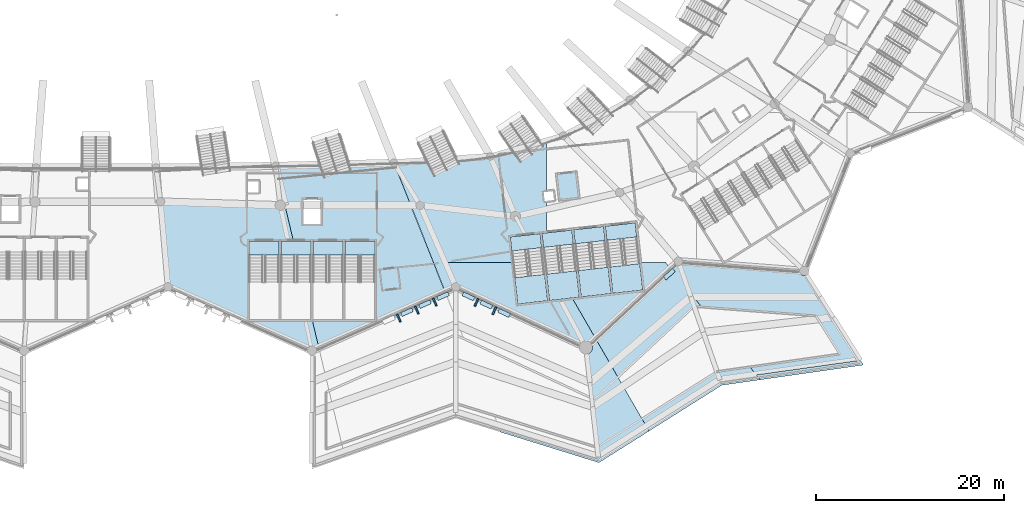
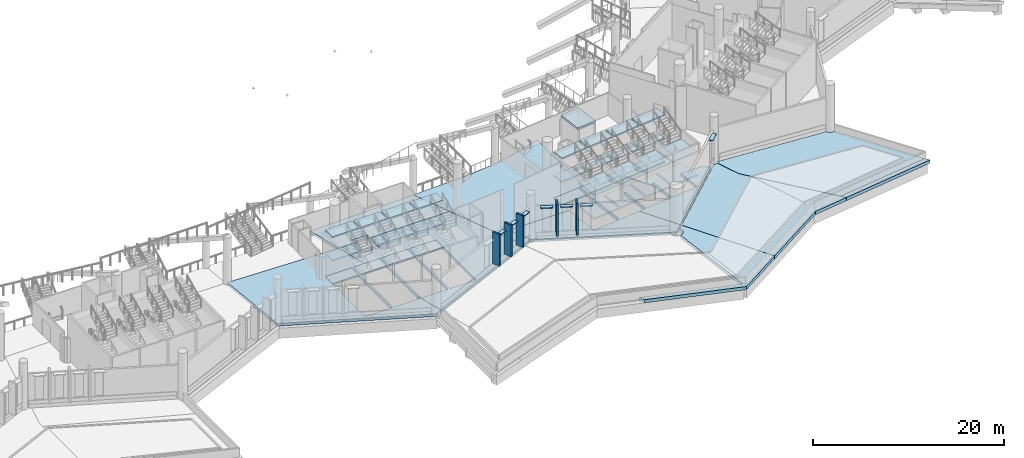
# One storey, part 28 of 173: 43 slabs, 12 plates, 8 elements without a shape of their own.
"""IFC4 building model written with IfcOpenShell, lengths in metres."""

from ifc_helpers import new_model, si_unit, direction, frame, origin, origin_2d, place, context, subcontext, project, spatial, polyline, rectangle, outline, extrude, material, layer, layer_set, type_object, element, aggregate, save


model = new_model("IFC4")

# Units and contexts
model_context = context("Model", 3, precision=1e-05, world=origin(), true_north=direction((0.0, 1.0)))
body_context = subcontext(model_context, "Body", "Model", "MODEL_VIEW")
ifc_project = project(units=[si_unit("LENGTHUNIT", "METRE"), si_unit("AREAUNIT", "SQUARE_METRE"), si_unit("VOLUMEUNIT", "CUBIC_METRE"), si_unit("PLANEANGLEUNIT", "RADIAN"), si_unit("MASSUNIT", "GRAM", prefix="KILO")], contexts=[model_context])

# Site, building, storey
site_placement = place(None, origin())
site = spatial("IfcSite", under=ifc_project, at=site_placement, CompositionType="ELEMENT")
building_placement = place(site_placement, origin())
building = spatial("IfcBuilding", under=site, at=building_placement, Name="Meseta Stadium", CompositionType="ELEMENT")
storey_placement = place(building_placement, frame((0.0, 0.0, 18.0)))
storey = spatial("IfcBuildingStorey", under=building, at=storey_placement, Name="L03", CompositionType="ELEMENT", Elevation=18.0)

# Slabs
ifc_material_1 = material(Name="Concrete C40/50", Category="concrete")
ifc_layer_1 = layer(ifc_material_1, 0.25)
ifc_layer_set_1 = layer_set([ifc_layer_1], Name="Core roof slab 250")
slab_type_1 = type_object("IfcSlabType", Name="Core roof slab 250", PredefinedType="ROOF", material=ifc_layer_set_1)
slab_1_placement = place(storey_placement, frame((0.0, 0.0, 4.60009765625)))
element("IfcSlab", 1, at=slab_1_placement, inside=storey, type_object=slab_type_1, Name="Core 26 lift overrun roof", PredefinedType="ROOF", context=body_context, shape_type="SweptSolid", body=[
    extrude(outline(polyline([(49.289306640625, -89.46484375), (48.95361328125, -86.483642578125), (51.239013671875, -86.226318359375), (51.574951171875, -89.207275390625), (49.289306640625, -89.46484375)])), origin(), (0.0, 0.0, 1.0), 0.25),
])
ifc_material_2 = material(Name="Concrete C40/50", Category="concrete")
ifc_layer_2 = layer(ifc_material_2, 0.35009765625)
ifc_layer_set_2 = layer_set([ifc_layer_2], Name="Floor slab 350")
slab_type_2 = type_object("IfcSlabType", Name="Floor slab 350", PredefinedType="FLOOR", material=ifc_layer_set_2)
slab_2_placement = place(storey_placement, frame((0.0, 0.0, -0.35009765625)))
element("IfcSlab", 2, at=slab_2_placement, inside=storey, type_object=slab_type_2, Name="Floor slab L03 sector 42 panel 12", PredefinedType="FLOOR", context=body_context, shape_type="SweptSolid", body=[
    extrude(outline(polyline([(19.62744140625, -89.90380859375), (6.87060546875, -89.517822265625), (7.666748046875, -98.60009765625), (23.0, -105.39990234375), (23.732177734375, -105.0751953125), (22.89990234375, -101.580078125), (22.89990234375, -102.10009765625), (19.699951171875, -102.10009765625), (19.699951171875, -93.699951171875), (21.023681640625, -93.699951171875), (20.1201171875, -89.904052734375), (19.62744140625, -89.90380859375)]), holes=[polyline([(16.300048828125, -93.699951171875), (19.5, -93.699951171875), (19.5, -102.10009765625), (16.300048828125, -102.10009765625), (16.300048828125, -93.699951171875)])]), origin(), (0.0, 0.0, 1.0), 0.35009765625),
])
slab_3_placement = place(storey_placement, frame((0.0, 0.0, -0.35009765625)))
element("IfcSlab", 3, at=slab_3_placement, inside=storey, type_object=slab_type_2, Name="Floor slab L03 sector 42 panel 13", PredefinedType="FLOOR", context=body_context, shape_type="SweptSolid", body=[
    extrude(outline(polyline([(33.525390625, -89.911376953125), (31.726318359375, -85.377197265625), (29.643798828125, -85.43798828125), (27.54638671875, -85.49658203125), (25.445068359375, -85.55224609375), (23.33984375, -85.6044921875), (21.23095703125, -85.6533203125), (19.11865234375, -85.6982421875), (20.1201171875, -89.904052734375), (22.050048828125, -89.905029296875), (22.050048828125, -89.300048828125), (23.949951171875, -89.300048828125), (23.949951171875, -89.906005859375), (33.525390625, -89.911376953125)])), origin(), (0.0, 0.0, 1.0), 0.35009765625),
])
slab_4_placement = place(storey_placement, frame((0.0, 0.0, -0.35009765625)))
element("IfcSlab", 4, at=slab_4_placement, inside=storey, type_object=slab_type_2, Name="Floor slab L03 sector 42 panel 14", PredefinedType="FLOOR", context=body_context, shape_type="SweptSolid", body=[
    extrude(outline(polyline([(23.732177734375, -105.0751953125), (37.177001953125, -99.11279296875), (33.525390625, -89.911376953125), (23.949951171875, -89.906005859375), (23.949951171875, -91.89990234375), (22.050048828125, -91.89990234375), (22.050048828125, -89.905029296875), (20.1201171875, -89.904052734375), (21.023681640625, -93.699951171875), (22.89990234375, -93.699951171875), (22.89990234375, -101.580078125), (23.732177734375, -105.0751953125)]), holes=[polyline([(23.10009765625, -93.699951171875), (26.300048828125, -93.699951171875), (26.300048828125, -102.10009765625), (23.10009765625, -102.10009765625), (23.10009765625, -93.699951171875)]), polyline([(26.5, -93.699951171875), (29.699951171875, -93.699951171875), (29.699951171875, -102.10009765625), (26.5, -102.10009765625), (26.5, -93.699951171875)])]), origin(), (0.0, 0.0, 1.0), 0.35009765625),
])
slab_5_placement = place(storey_placement, frame((0.0, 0.0, -0.35009765625)))
element("IfcSlab", 5, at=slab_5_placement, inside=storey, type_object=slab_type_2, Name="Floor slab L03 sector 49 panel 01", PredefinedType="FLOOR", context=body_context, shape_type="SweptSolid", body=[
    extrude(outline(polyline([(43.34228515625, -84.455078125), (42.015380859375, -84.707275390625), (40.68017578125, -84.912109375), (39.337890625, -85.069580078125), (37.989990234375, -85.17919921875), (35.91015625, -85.2470703125), (33.82568359375, -85.31298828125), (31.74755859375, -85.37646484375), (37.1953125, -99.104736328125), (38.333251953125, -98.60009765625), (37.1953125, -96.0), (44.440673828125, -96.0), (44.13427734375, -93.281005859375), (47.314208984375, -92.9228515625), (47.660888671875, -96.0), (47.862060546875, -96.0), (47.5126953125, -92.900390625), (48.0, -92.845458984375), (48.0, -89.459228515625), (47.781982421875, -89.483642578125), (47.669921875, -88.489990234375), (48.0, -88.452880859375), (48.0, -83.163330078125), (47.255126953125, -83.418701171875), (45.963623046875, -83.810302734375), (44.658935546875, -84.156005859375), (43.34228515625, -84.455078125)])), origin(), (0.0, 0.0, 1.0), 0.35009765625),
])
slab_6_placement = place(storey_placement, frame((0.0, 0.0, -0.35009765625)))
element("IfcSlab", 6, at=slab_6_placement, inside=storey, type_object=slab_type_2, Name="Floor slab L03 sector 49 panel 02", PredefinedType="FLOOR", context=body_context, shape_type="SweptSolid", body=[
    extrude(outline(polyline([(47.660888671875, -96.0), (48.1201171875, -100.077392578125), (44.9404296875, -100.435791015625), (44.440673828125, -96.0), (37.1953125, -96.0), (38.333251953125, -98.60009765625), (52.202880859375, -105.0517578125), (53.224609375, -104.099365234375), (50.72998046875, -99.783447265625), (48.319091796875, -100.05517578125), (47.862060546875, -96.0), (47.660888671875, -96.0)])), origin(), (0.0, 0.0, 1.0), 0.35009765625),
])
slab_7_placement = place(storey_placement, frame((0.0, 0.0, -0.35009765625)))
element("IfcSlab", 7, at=slab_7_placement, inside=storey, type_object=slab_type_2, Name="Floor slab L03 sector 49 panel 03", PredefinedType="FLOOR", context=body_context, shape_type="SweptSolid", body=[
    extrude(outline(polyline([(50.72998046875, -99.783447265625), (53.224609375, -104.099365234375), (61.21435546875, -96.653076171875), (60.687255859375, -96.0), (57.92529296875, -96.0), (58.256103515625, -98.935302734375), (55.076171875, -99.293701171875), (54.705078125, -96.0), (54.50390625, -96.0), (54.87744140625, -99.316162109375), (51.697509765625, -99.67431640625), (51.28369140625, -96.0), (51.082275390625, -96.0), (51.498779296875, -99.69677734375), (50.72998046875, -99.783447265625)])), origin(), (0.0, 0.0, 1.0), 0.35009765625),
])

# Plates
ifc_material_3 = material(Name="White precast concrete C40/50", Category="concrete")
ifc_layer_3 = layer(ifc_material_3, 0.080078125)
ifc_layer_set_3 = layer_set([ifc_layer_3], Name="Louvre hood 1300x450")
plate_type_1 = type_object("IfcPlateType", Name="Louvre hood 1300x450", PredefinedType="USERDEFINED", material=ifc_layer_set_3)
for number, where, z_axis, x_axis, name in (
    (8, (36.966796875, -99.5888671875, 4.25), (0.0, 0.0, 1.0), (0.914139046248, 0.40540079443, 0.0), "Louvre hood L03 F48"),
    (9, (35.047119140625, -100.440185546875, 4.25), (0.0, 0.0, 1.0), (0.914139046248, 0.40540079443, 0.0), "Louvre hood L03 F48"),
    (10, (33.12744140625, -101.29150390625, 4.25), (0.0, 0.0, 1.0), (0.914139046248, 0.40540079443, 0.0), "Louvre hood L03 F48"),
    (11, (39.681884765625, -99.61328125, 4.25), (0.0, 0.0, 1.0), (0.9067029415, -0.421769813851, 0.0), "Louvre hood L03 F49"),
    (12, (41.5859375, -100.4990234375, 4.25), (0.0, 0.0, 1.0), (0.9067029415, -0.421769813851, 0.0), "Louvre hood L03 F49"),
    (13, (43.489990234375, -101.384765625, 4.25), (0.0, 0.0, 1.0), (0.9067029415, -0.421769813851, 0.0), "Louvre hood L03 F49"),
    (14, (61.083251953125, -97.253662109375, 4.25), (0.0, 0.0, 1.0), (0.731544959663, 0.681793203245, 0.0), "Louvre hood L03 F50"),
):
    element("IfcPlate", number, at=place(storey_placement, frame(where, z_axis=z_axis, x_axis=x_axis)), inside=storey, type_object=plate_type_1, Name=name, ObjectType="LOUVRE", PredefinedType="USERDEFINED", context=body_context, shape_type="SweptSolid", body=[
        extrude(rectangle(XDim=1.300048828125, YDim=0.449951171875, at=origin_2d()), origin(), (0.0, 0.0, 1.0), 0.080078125),
    ])
ifc_material_4 = material(Name="Precast concrete C40/50, terracotta pigment", Category="masonry")
ifc_layer_4 = layer(ifc_material_4, 0.199951171875)
ifc_layer_set_4 = layer_set([ifc_layer_4], Name="Precast concrete C40/50, terracotta pigment")
plate_type_2 = type_object("IfcPlateType", Name="Precast fin 200x900", PredefinedType="USERDEFINED", material=ifc_layer_set_4)
for number, where, z_axis, x_axis, name in (
    (15, (36.098388671875, -100.22021484375, 0.9501953125), (0.0, 0.0, 1.0), (-0.914139367606, -0.405400069798, 0.0), "Precast fin L03 F48.1"),
    (16, (34.1787109375, -101.071533203125, 0.9501953125), (0.0, 0.0, 1.0), (-0.914139367606, -0.405400069798, 0.0), "Precast fin L03 F48.2"),
    (17, (32.2587890625, -101.9228515625, 0.9501953125), (0.0, 0.0, 1.0), (-0.914139367606, -0.405400069798, 0.0), "Precast fin L03 F48.3"),
    (18, (42.443115234375, -101.145751953125, 0.9501953125), (0.0, 0.0, 1.0), (-0.906702748296, 0.421770229193, 0.0), "Precast fin L03 F49.1"),
    (19, (40.538818359375, -100.260009765625, 0.9501953125), (0.0, 0.0, 1.0), (-0.906702748296, 0.421770229193, 0.0), "Precast fin L03 F49.2"),
):
    element("IfcPlate", number, at=place(storey_placement, frame(where, z_axis=z_axis, x_axis=x_axis)), inside=storey, type_object=plate_type_2, Name=name, ObjectType="FIN", PredefinedType="USERDEFINED", context=body_context, shape_type="SweptSolid", body=[
        extrude(rectangle(XDim=0.199951171875, YDim=0.89990234375, at=origin_2d()), origin(), (0.0, 0.0, 1.0), 4.050048828125),
    ])

# Slabs
ifc_material_5 = material(Name="Concrete C40/50", Category="concrete")
ifc_layer_5 = layer(ifc_material_5, 0.39990234375)
ifc_layer_set_5 = layer_set([ifc_layer_5], Name="Roof garden slab 400")
slab_type_3 = type_object("IfcSlabType", Name="Roof garden slab 400", PredefinedType="ROOF", material=ifc_layer_set_5)
slab_8_placement = place(storey_placement, frame((0.0, 0.0, -0.39990234375)))
element("IfcSlab", 20, at=slab_8_placement, inside=storey, type_object=slab_type_3, Name="Roof garden slab 7 part 2 panel 02", PredefinedType="ROOF", context=body_context, shape_type="SweptSolid", body=[
    extrude(outline(polyline([(53.5869140625, -117.334716796875), (58.92919921875, -113.96826171875), (53.3017578125, -104.232666015625), (52.80908203125, -104.69189453125), (52.814208984375, -104.698486328125), (52.884765625, -104.868896484375), (52.908935546875, -105.0517578125), (52.884765625, -105.234375), (52.814208984375, -105.40478515625), (52.7021484375, -105.55078125), (52.555908203125, -105.6630859375), (52.385498046875, -105.733642578125), (52.28125, -105.747314453125), (53.51953125, -116.73828125), (42.87451171875, -113.4169921875), (43.142822265625, -114.093017578125), (53.5869140625, -117.334716796875)])), origin(), (0.0, 0.0, 1.0), 0.39990234375),
])
slab_9_placement = place(storey_placement, frame((0.0, 0.0, -0.39990234375)))
element("IfcSlab", 21, at=slab_9_placement, inside=storey, type_object=slab_type_3, Name="Roof garden slab 7 part 2 panel 03", PredefinedType="ROOF", context=body_context, shape_type="SweptSolid", body=[
    extrude(outline(polyline([(61.842041015625, -96.27294921875), (53.3017578125, -104.232666015625), (58.92919921875, -113.96826171875), (66.675537109375, -109.087158203125), (70.776611328125, -108.501708984375), (63.17431640625, -99.081787109375), (62.200439453125, -96.298095703125), (62.1689453125, -96.31103515625), (62.051513671875, -96.32666015625), (61.93408203125, -96.31103515625), (61.842041015625, -96.27294921875)])), origin(), (0.0, 0.0, 1.0), 0.39990234375),
])
slab_10_placement = place(storey_placement, frame((0.0, 0.0, -0.39990234375)))
element("IfcSlab", 22, at=slab_10_placement, inside=storey, type_object=slab_type_3, Name="Roof garden slab 7 part 2 panel 04", PredefinedType="ROOF", context=body_context, shape_type="SweptSolid", body=[
    extrude(outline(polyline([(62.278564453125, -96.265869140625), (62.21142578125, -96.29345703125), (62.211669921875, -96.294189453125), (63.18505859375, -99.075927734375), (70.367919921875, -107.976318359375), (81.45361328125, -106.42431640625), (75.74169921875, -97.333740234375), (75.726806640625, -97.34521484375), (75.60498046875, -97.395751953125), (75.474609375, -97.412841796875), (75.343994140625, -97.395751953125), (75.222412109375, -97.34521484375), (75.117919921875, -97.26513671875), (75.037841796875, -97.16064453125), (74.9873046875, -97.0390625), (74.985107421875, -97.021240234375), (62.463134765625, -96.054931640625), (62.444580078125, -96.099609375), (62.37255859375, -96.193603515625), (62.278564453125, -96.265869140625)])), origin(), (0.0, 0.0, 1.0), 0.39990234375),
])
slab_11_placement = place(storey_placement, frame((0.0, 0.0, -0.39990234375)))
element("IfcSlab", 23, at=slab_11_placement, inside=storey, type_object=slab_type_3, Name="Roof garden slab 7 part 2 panel 05", PredefinedType="ROOF", context=body_context, shape_type="SweptSolid", body=[
    extrude(outline(polyline([(70.776611328125, -108.501708984375), (81.77294921875, -106.93212890625), (81.45361328125, -106.42431640625), (70.35400390625, -107.97802734375), (70.776611328125, -108.501708984375)])), origin(), (0.0, 0.0, 1.0), 0.39990234375),
])

# Stair, slabs
ifc_material_6 = material(Name="Concrete C40/50", Category="concrete")
stair_type = type_object("IfcStairType", Name="Exit stair 4 flights 150 mm risers", PredefinedType="HALF_TURN_STAIR", material=ifc_material_6)
stair_1_placement = place(storey_placement, origin())
stair_1 = element("IfcStair", 24, at=stair_1_placement, inside=storey, type_object=stair_type, Name="ST97 L03", PredefinedType="HALF_TURN_STAIR")
ifc_material_7 = material(Name="Concrete C40/50", Category="concrete")
ifc_layer_6 = layer(ifc_material_7, 0.199951171875)
ifc_layer_set_6 = layer_set([ifc_layer_6], Name="Stair landing 200")
slab_type_4 = type_object("IfcSlabType", Name="Stair landing 200", PredefinedType="LANDING", material=ifc_layer_set_6)
slab_12_placement = place(storey_placement, frame((0.0, 0.0, 2.800048828125)))
slab_12 = element("IfcSlab", 25, at=slab_12_placement, type_object=slab_type_4, Name="ST97 L03 landing 2", PredefinedType="LANDING", context=body_context, shape_type="SweptSolid", body=[
    extrude(outline(polyline([(16.300048828125, -93.699951171875), (16.300048828125, -95.2099609375), (19.5, -95.2099609375), (19.5, -93.699951171875), (16.300048828125, -93.699951171875)])), origin(), (0.0, 0.0, 1.0), 0.199951171875),
])
slab_13_placement = place(storey_placement, frame((0.0, 0.0, -0.199951171875)))
slab_13 = element("IfcSlab", 26, at=slab_13_placement, type_object=slab_type_4, Name="ST97 L03 landing 4", PredefinedType="LANDING", context=body_context, shape_type="SweptSolid", body=[
    extrude(outline(polyline([(16.300048828125, -93.699951171875), (16.300048828125, -95.2099609375), (19.5, -95.2099609375), (19.5, -93.699951171875), (16.300048828125, -93.699951171875)])), origin(), (0.0, 0.0, 1.0), 0.199951171875),
])
slab_14_placement = place(storey_placement, frame((0.0, 0.0, 5.800048828125)))
slab_14 = element("IfcSlab", 27, at=slab_14_placement, type_object=slab_type_4, Name="ST97 L03 landing 5", PredefinedType="LANDING", context=body_context, shape_type="SweptSolid", body=[
    extrude(outline(polyline([(16.300048828125, -93.699951171875), (16.300048828125, -95.2099609375), (19.5, -95.2099609375), (19.5, -93.699951171875), (16.300048828125, -93.699951171875)])), origin(), (0.0, 0.0, 1.0), 0.199951171875),
])
aggregate(stair_1, [slab_12, slab_13, slab_14])

stair_2_placement = place(storey_placement, origin())
stair_2 = element("IfcStair", 28, at=stair_2_placement, inside=storey, type_object=stair_type, Name="ST98 L03", PredefinedType="HALF_TURN_STAIR")
slab_15_placement = place(storey_placement, frame((0.0, 0.0, 2.800048828125)))
slab_15 = element("IfcSlab", 29, at=slab_15_placement, type_object=slab_type_4, Name="ST98 L03 landing 2", PredefinedType="LANDING", context=body_context, shape_type="SweptSolid", body=[
    extrude(outline(polyline([(19.699951171875, -93.699951171875), (19.699951171875, -95.2099609375), (22.89990234375, -95.2099609375), (22.89990234375, -93.699951171875), (19.699951171875, -93.699951171875)])), origin(), (0.0, 0.0, 1.0), 0.199951171875),
])
slab_16_placement = place(storey_placement, frame((0.0, 0.0, -0.199951171875)))
slab_16 = element("IfcSlab", 30, at=slab_16_placement, type_object=slab_type_4, Name="ST98 L03 landing 4", PredefinedType="LANDING", context=body_context, shape_type="SweptSolid", body=[
    extrude(outline(polyline([(19.699951171875, -93.699951171875), (19.699951171875, -95.2099609375), (22.89990234375, -95.2099609375), (22.89990234375, -93.699951171875), (19.699951171875, -93.699951171875)])), origin(), (0.0, 0.0, 1.0), 0.199951171875),
])
slab_17_placement = place(storey_placement, frame((0.0, 0.0, 5.800048828125)))
slab_17 = element("IfcSlab", 31, at=slab_17_placement, type_object=slab_type_4, Name="ST98 L03 landing 5", PredefinedType="LANDING", context=body_context, shape_type="SweptSolid", body=[
    extrude(outline(polyline([(19.699951171875, -93.699951171875), (19.699951171875, -95.2099609375), (22.89990234375, -95.2099609375), (22.89990234375, -93.699951171875), (19.699951171875, -93.699951171875)])), origin(), (0.0, 0.0, 1.0), 0.199951171875),
])
aggregate(stair_2, [slab_15, slab_16, slab_17])

stair_3_placement = place(storey_placement, origin())
stair_3 = element("IfcStair", 32, at=stair_3_placement, inside=storey, type_object=stair_type, Name="ST99 L03", PredefinedType="HALF_TURN_STAIR")
slab_18_placement = place(storey_placement, frame((0.0, 0.0, 2.800048828125)))
slab_18 = element("IfcSlab", 33, at=slab_18_placement, type_object=slab_type_4, Name="ST99 L03 landing 2", PredefinedType="LANDING", context=body_context, shape_type="SweptSolid", body=[
    extrude(outline(polyline([(23.10009765625, -93.699951171875), (23.10009765625, -95.2099609375), (26.300048828125, -95.2099609375), (26.300048828125, -93.699951171875), (23.10009765625, -93.699951171875)])), origin(), (0.0, 0.0, 1.0), 0.199951171875),
])
slab_19_placement = place(storey_placement, frame((0.0, 0.0, -0.199951171875)))
slab_19 = element("IfcSlab", 34, at=slab_19_placement, type_object=slab_type_4, Name="ST99 L03 landing 4", PredefinedType="LANDING", context=body_context, shape_type="SweptSolid", body=[
    extrude(outline(polyline([(23.10009765625, -93.699951171875), (23.10009765625, -95.2099609375), (26.300048828125, -95.2099609375), (26.300048828125, -93.699951171875), (23.10009765625, -93.699951171875)])), origin(), (0.0, 0.0, 1.0), 0.199951171875),
])
slab_20_placement = place(storey_placement, frame((0.0, 0.0, 5.800048828125)))
slab_20 = element("IfcSlab", 35, at=slab_20_placement, type_object=slab_type_4, Name="ST99 L03 landing 5", PredefinedType="LANDING", context=body_context, shape_type="SweptSolid", body=[
    extrude(outline(polyline([(23.10009765625, -93.699951171875), (23.10009765625, -95.2099609375), (26.300048828125, -95.2099609375), (26.300048828125, -93.699951171875), (23.10009765625, -93.699951171875)])), origin(), (0.0, 0.0, 1.0), 0.199951171875),
])
aggregate(stair_3, [slab_18, slab_19, slab_20])

stair_4_placement = place(storey_placement, origin())
stair_4 = element("IfcStair", 36, at=stair_4_placement, inside=storey, type_object=stair_type, Name="ST100 L03", PredefinedType="HALF_TURN_STAIR")
slab_21_placement = place(storey_placement, frame((0.0, 0.0, 2.800048828125)))
slab_21 = element("IfcSlab", 37, at=slab_21_placement, type_object=slab_type_4, Name="ST100 L03 landing 2", PredefinedType="LANDING", context=body_context, shape_type="SweptSolid", body=[
    extrude(outline(polyline([(26.5, -93.699951171875), (26.5, -95.2099609375), (29.699951171875, -95.2099609375), (29.699951171875, -93.699951171875), (26.5, -93.699951171875)])), origin(), (0.0, 0.0, 1.0), 0.199951171875),
])
slab_22_placement = place(storey_placement, frame((0.0, 0.0, -0.199951171875)))
slab_22 = element("IfcSlab", 38, at=slab_22_placement, type_object=slab_type_4, Name="ST100 L03 landing 4", PredefinedType="LANDING", context=body_context, shape_type="SweptSolid", body=[
    extrude(outline(polyline([(26.5, -93.699951171875), (26.5, -95.2099609375), (29.699951171875, -95.2099609375), (29.699951171875, -93.699951171875), (26.5, -93.699951171875)])), origin(), (0.0, 0.0, 1.0), 0.199951171875),
])
slab_23_placement = place(storey_placement, frame((0.0, 0.0, 5.800048828125)))
slab_23 = element("IfcSlab", 39, at=slab_23_placement, type_object=slab_type_4, Name="ST100 L03 landing 5", PredefinedType="LANDING", context=body_context, shape_type="SweptSolid", body=[
    extrude(outline(polyline([(26.5, -93.699951171875), (26.5, -95.2099609375), (29.699951171875, -95.2099609375), (29.699951171875, -93.699951171875), (26.5, -93.699951171875)])), origin(), (0.0, 0.0, 1.0), 0.199951171875),
])
aggregate(stair_4, [slab_21, slab_22, slab_23])

stair_5_placement = place(storey_placement, origin())
stair_5 = element("IfcStair", 40, at=stair_5_placement, inside=storey, type_object=stair_type, Name="ST101 L03", PredefinedType="HALF_TURN_STAIR")
slab_24_placement = place(storey_placement, frame((0.0, 0.0, 1.300048828125)))
slab_24 = element("IfcSlab", 41, at=slab_24_placement, type_object=slab_type_4, Name="ST101 L03 landing 1", PredefinedType="LANDING", context=body_context, shape_type="SweptSolid", body=[
    extrude(outline(polyline([(44.62353515625, -97.62353515625), (44.9404296875, -100.435791015625), (48.1201171875, -100.077392578125), (47.803466796875, -97.265380859375), (44.62353515625, -97.62353515625)])), origin(), (0.0, 0.0, 1.0), 0.199951171875),
])
slab_25_placement = place(storey_placement, frame((0.0, 0.0, 2.800048828125)))
slab_25 = element("IfcSlab", 42, at=slab_25_placement, type_object=slab_type_4, Name="ST101 L03 landing 2", PredefinedType="LANDING", context=body_context, shape_type="SweptSolid", body=[
    extrude(outline(polyline([(44.13427734375, -93.281005859375), (44.30322265625, -94.781494140625), (47.483154296875, -94.42333984375), (47.314208984375, -92.9228515625), (44.13427734375, -93.281005859375)])), origin(), (0.0, 0.0, 1.0), 0.199951171875),
])
slab_26_placement = place(storey_placement, frame((0.0, 0.0, 4.300048828125)))
slab_26 = element("IfcSlab", 43, at=slab_26_placement, type_object=slab_type_4, Name="ST101 L03 landing 3", PredefinedType="LANDING", context=body_context, shape_type="SweptSolid", body=[
    extrude(outline(polyline([(44.62353515625, -97.62353515625), (44.9404296875, -100.435791015625), (48.1201171875, -100.077392578125), (47.803466796875, -97.265380859375), (44.62353515625, -97.62353515625)])), origin(), (0.0, 0.0, 1.0), 0.199951171875),
])
slab_27_placement = place(storey_placement, frame((0.0, 0.0, -0.199951171875)))
slab_27 = element("IfcSlab", 44, at=slab_27_placement, type_object=slab_type_4, Name="ST101 L03 landing 4", PredefinedType="LANDING", context=body_context, shape_type="SweptSolid", body=[
    extrude(outline(polyline([(44.13427734375, -93.281005859375), (44.30322265625, -94.781494140625), (47.483154296875, -94.42333984375), (47.314208984375, -92.9228515625), (44.13427734375, -93.281005859375)])), origin(), (0.0, 0.0, 1.0), 0.199951171875),
])
slab_28_placement = place(storey_placement, frame((0.0, 0.0, 5.800048828125)))
slab_28 = element("IfcSlab", 45, at=slab_28_placement, type_object=slab_type_4, Name="ST101 L03 landing 5", PredefinedType="LANDING", context=body_context, shape_type="SweptSolid", body=[
    extrude(outline(polyline([(44.13427734375, -93.281005859375), (44.30322265625, -94.781494140625), (47.483154296875, -94.42333984375), (47.314208984375, -92.9228515625), (44.13427734375, -93.281005859375)])), origin(), (0.0, 0.0, 1.0), 0.199951171875),
])
aggregate(stair_5, [slab_24, slab_25, slab_26, slab_27, slab_28])

stair_6_placement = place(storey_placement, origin())
stair_6 = element("IfcStair", 46, at=stair_6_placement, inside=storey, type_object=stair_type, Name="ST102 L03", PredefinedType="HALF_TURN_STAIR")
slab_29_placement = place(storey_placement, frame((0.0, 0.0, 1.300048828125)))
slab_29 = element("IfcSlab", 47, at=slab_29_placement, type_object=slab_type_4, Name="ST102 L03 landing 1", PredefinedType="LANDING", context=body_context, shape_type="SweptSolid", body=[
    extrude(outline(polyline([(48.002197265625, -97.242919921875), (48.319091796875, -100.05517578125), (51.498779296875, -99.69677734375), (51.181884765625, -96.884521484375), (48.002197265625, -97.242919921875)])), origin(), (0.0, 0.0, 1.0), 0.199951171875),
])
slab_30_placement = place(storey_placement, frame((0.0, 0.0, 2.800048828125)))
slab_30 = element("IfcSlab", 48, at=slab_30_placement, type_object=slab_type_4, Name="ST102 L03 landing 2", PredefinedType="LANDING", context=body_context, shape_type="SweptSolid", body=[
    extrude(outline(polyline([(47.512939453125, -92.900390625), (47.681884765625, -94.40087890625), (50.86181640625, -94.04248046875), (50.692626953125, -92.5419921875), (47.512939453125, -92.900390625)])), origin(), (0.0, 0.0, 1.0), 0.199951171875),
])
slab_31_placement = place(storey_placement, frame((0.0, 0.0, 4.300048828125)))
slab_31 = element("IfcSlab", 49, at=slab_31_placement, type_object=slab_type_4, Name="ST102 L03 landing 3", PredefinedType="LANDING", context=body_context, shape_type="SweptSolid", body=[
    extrude(outline(polyline([(48.002197265625, -97.242919921875), (48.319091796875, -100.05517578125), (51.498779296875, -99.69677734375), (51.181884765625, -96.884521484375), (48.002197265625, -97.242919921875)])), origin(), (0.0, 0.0, 1.0), 0.199951171875),
])
slab_32_placement = place(storey_placement, frame((0.0, 0.0, -0.199951171875)))
slab_32 = element("IfcSlab", 50, at=slab_32_placement, type_object=slab_type_4, Name="ST102 L03 landing 4", PredefinedType="LANDING", context=body_context, shape_type="SweptSolid", body=[
    extrude(outline(polyline([(50.692626953125, -92.5419921875), (48.011962890625, -92.843994140625), (48.011962890625, -92.845458984375), (48.011962890625, -92.8466796875), (48.01171875, -92.847900390625), (48.011474609375, -92.84912109375), (48.010986328125, -92.85009765625), (48.010498046875, -92.85107421875), (48.010009765625, -92.85205078125), (48.00927734375, -92.85302734375), (48.008544921875, -92.85400390625), (48.0078125, -92.854736328125), (48.0068359375, -92.85546875), (48.005859375, -92.85595703125), (48.004638671875, -92.8564453125), (48.003662109375, -92.85693359375), (48.00244140625, -92.857177734375), (48.001220703125, -92.857421875), (47.526123046875, -92.910888671875), (47.69384765625, -94.3994140625), (50.86181640625, -94.04248046875), (50.692626953125, -92.5419921875)])), origin(), (0.0, 0.0, 1.0), 0.199951171875),
])
slab_33_placement = place(storey_placement, frame((0.0, 0.0, 5.800048828125)))
slab_33 = element("IfcSlab", 51, at=slab_33_placement, type_object=slab_type_4, Name="ST102 L03 landing 5", PredefinedType="LANDING", context=body_context, shape_type="SweptSolid", body=[
    extrude(outline(polyline([(47.512939453125, -92.900390625), (47.681884765625, -94.40087890625), (50.86181640625, -94.04248046875), (50.692626953125, -92.5419921875), (47.512939453125, -92.900390625)])), origin(), (0.0, 0.0, 1.0), 0.199951171875),
])
aggregate(stair_6, [slab_29, slab_30, slab_31, slab_32, slab_33])

stair_7_placement = place(storey_placement, origin())
stair_7 = element("IfcStair", 52, at=stair_7_placement, inside=storey, type_object=stair_type, Name="ST103 L03", PredefinedType="HALF_TURN_STAIR")
slab_34_placement = place(storey_placement, frame((0.0, 0.0, 1.300048828125)))
slab_34 = element("IfcSlab", 53, at=slab_34_placement, type_object=slab_type_4, Name="ST103 L03 landing 1", PredefinedType="LANDING", context=body_context, shape_type="SweptSolid", body=[
    extrude(outline(polyline([(51.380615234375, -96.8623046875), (51.697509765625, -99.67431640625), (54.87744140625, -99.316162109375), (54.560546875, -96.50390625), (51.380615234375, -96.8623046875)])), origin(), (0.0, 0.0, 1.0), 0.199951171875),
])
slab_35_placement = place(storey_placement, frame((0.0, 0.0, 2.800048828125)))
slab_35 = element("IfcSlab", 54, at=slab_35_placement, type_object=slab_type_4, Name="ST103 L03 landing 2", PredefinedType="LANDING", context=body_context, shape_type="SweptSolid", body=[
    extrude(outline(polyline([(50.891357421875, -92.519775390625), (51.060546875, -94.020263671875), (54.240478515625, -93.661865234375), (54.0712890625, -92.161376953125), (50.891357421875, -92.519775390625)])), origin(), (0.0, 0.0, 1.0), 0.199951171875),
])
slab_36_placement = place(storey_placement, frame((0.0, 0.0, 4.300048828125)))
slab_36 = element("IfcSlab", 55, at=slab_36_placement, type_object=slab_type_4, Name="ST103 L03 landing 3", PredefinedType="LANDING", context=body_context, shape_type="SweptSolid", body=[
    extrude(outline(polyline([(51.380615234375, -96.8623046875), (51.697509765625, -99.67431640625), (54.87744140625, -99.316162109375), (54.560546875, -96.50390625), (51.380615234375, -96.8623046875)])), origin(), (0.0, 0.0, 1.0), 0.199951171875),
])
slab_37_placement = place(storey_placement, frame((0.0, 0.0, -0.199951171875)))
slab_37 = element("IfcSlab", 56, at=slab_37_placement, type_object=slab_type_4, Name="ST103 L03 landing 4", PredefinedType="LANDING", context=body_context, shape_type="SweptSolid", body=[
    extrude(outline(polyline([(50.891357421875, -92.519775390625), (51.060546875, -94.020263671875), (54.240478515625, -93.661865234375), (54.0712890625, -92.161376953125), (50.891357421875, -92.519775390625)])), origin(), (0.0, 0.0, 1.0), 0.199951171875),
])
slab_38_placement = place(storey_placement, frame((0.0, 0.0, 5.800048828125)))
slab_38 = element("IfcSlab", 57, at=slab_38_placement, type_object=slab_type_4, Name="ST103 L03 landing 5", PredefinedType="LANDING", context=body_context, shape_type="SweptSolid", body=[
    extrude(outline(polyline([(50.891357421875, -92.519775390625), (51.060546875, -94.020263671875), (54.240478515625, -93.661865234375), (54.0712890625, -92.161376953125), (50.891357421875, -92.519775390625)])), origin(), (0.0, 0.0, 1.0), 0.199951171875),
])
aggregate(stair_7, [slab_34, slab_35, slab_36, slab_37, slab_38])

stair_8_placement = place(storey_placement, origin())
stair_8 = element("IfcStair", 58, at=stair_8_placement, inside=storey, type_object=stair_type, Name="ST104 L03", PredefinedType="HALF_TURN_STAIR")
slab_39_placement = place(storey_placement, frame((0.0, 0.0, 1.300048828125)))
slab_39 = element("IfcSlab", 59, at=slab_39_placement, type_object=slab_type_4, Name="ST104 L03 landing 1", PredefinedType="LANDING", context=body_context, shape_type="SweptSolid", body=[
    extrude(outline(polyline([(54.75927734375, -96.4814453125), (55.076171875, -99.293701171875), (58.256103515625, -98.935546875), (57.939208984375, -96.123291015625), (54.75927734375, -96.4814453125)])), origin(), (0.0, 0.0, 1.0), 0.199951171875),
])
slab_40_placement = place(storey_placement, frame((0.0, 0.0, 2.800048828125)))
slab_40 = element("IfcSlab", 60, at=slab_40_placement, type_object=slab_type_4, Name="ST104 L03 landing 2", PredefinedType="LANDING", context=body_context, shape_type="SweptSolid", body=[
    extrude(outline(polyline([(54.27001953125, -92.138916015625), (54.439208984375, -93.639404296875), (57.618896484375, -93.28125), (57.449951171875, -91.78076171875), (54.27001953125, -92.138916015625)])), origin(), (0.0, 0.0, 1.0), 0.199951171875),
])
slab_41_placement = place(storey_placement, frame((0.0, 0.0, 4.300048828125)))
slab_41 = element("IfcSlab", 61, at=slab_41_placement, type_object=slab_type_4, Name="ST104 L03 landing 3", PredefinedType="LANDING", context=body_context, shape_type="SweptSolid", body=[
    extrude(outline(polyline([(54.75927734375, -96.4814453125), (55.076171875, -99.293701171875), (58.256103515625, -98.935546875), (57.939208984375, -96.123291015625), (54.75927734375, -96.4814453125)])), origin(), (0.0, 0.0, 1.0), 0.199951171875),
])
slab_42_placement = place(storey_placement, frame((0.0, 0.0, -0.199951171875)))
slab_42 = element("IfcSlab", 62, at=slab_42_placement, type_object=slab_type_4, Name="ST104 L03 landing 4", PredefinedType="LANDING", context=body_context, shape_type="SweptSolid", body=[
    extrude(outline(polyline([(54.27001953125, -92.138916015625), (54.439208984375, -93.639404296875), (57.618896484375, -93.28125), (57.449951171875, -91.78076171875), (54.27001953125, -92.138916015625)])), origin(), (0.0, 0.0, 1.0), 0.199951171875),
])
slab_43_placement = place(storey_placement, frame((0.0, 0.0, 5.800048828125)))
slab_43 = element("IfcSlab", 63, at=slab_43_placement, type_object=slab_type_4, Name="ST104 L03 landing 5", PredefinedType="LANDING", context=body_context, shape_type="SweptSolid", body=[
    extrude(outline(polyline([(54.27001953125, -92.138916015625), (54.439208984375, -93.639404296875), (57.618896484375, -93.28125), (57.449951171875, -91.78076171875), (54.27001953125, -92.138916015625)])), origin(), (0.0, 0.0, 1.0), 0.199951171875),
])
aggregate(stair_8, [slab_39, slab_40, slab_41, slab_42, slab_43])

save(model, "model.ifc")
